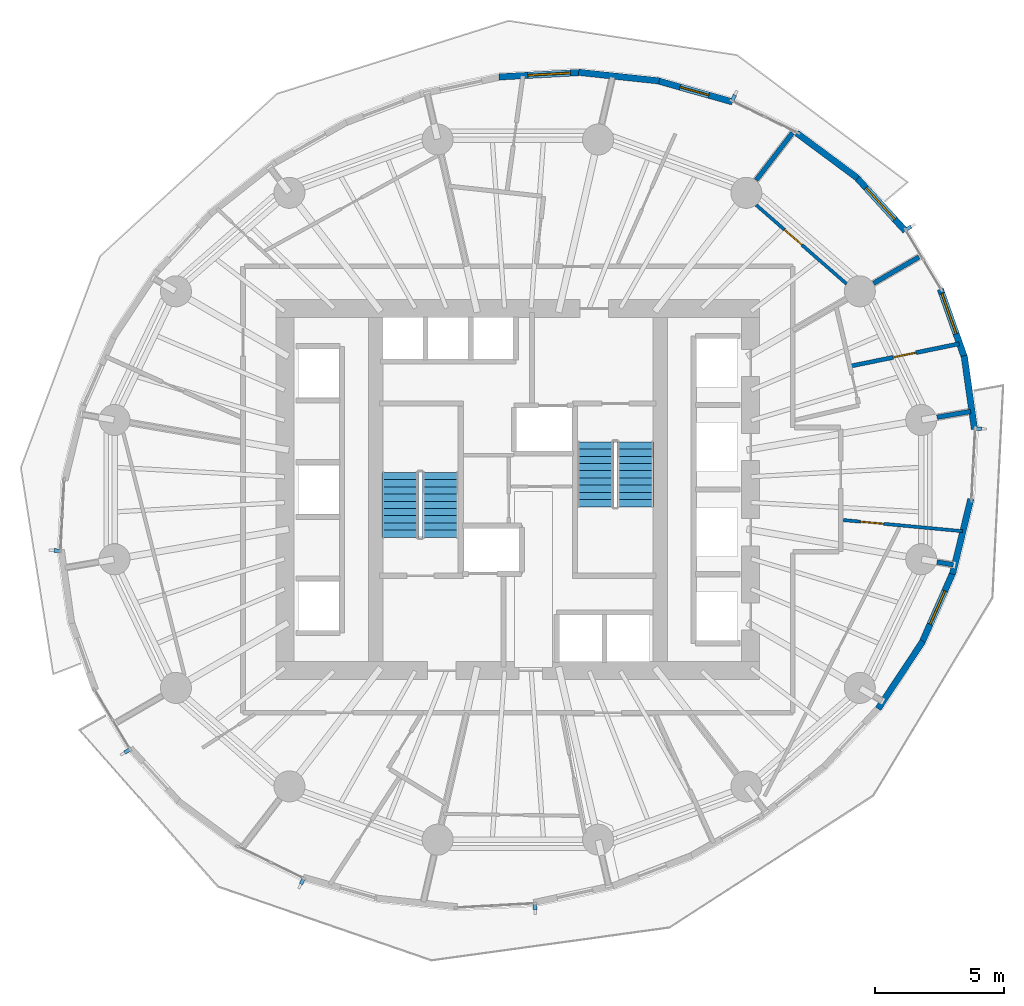
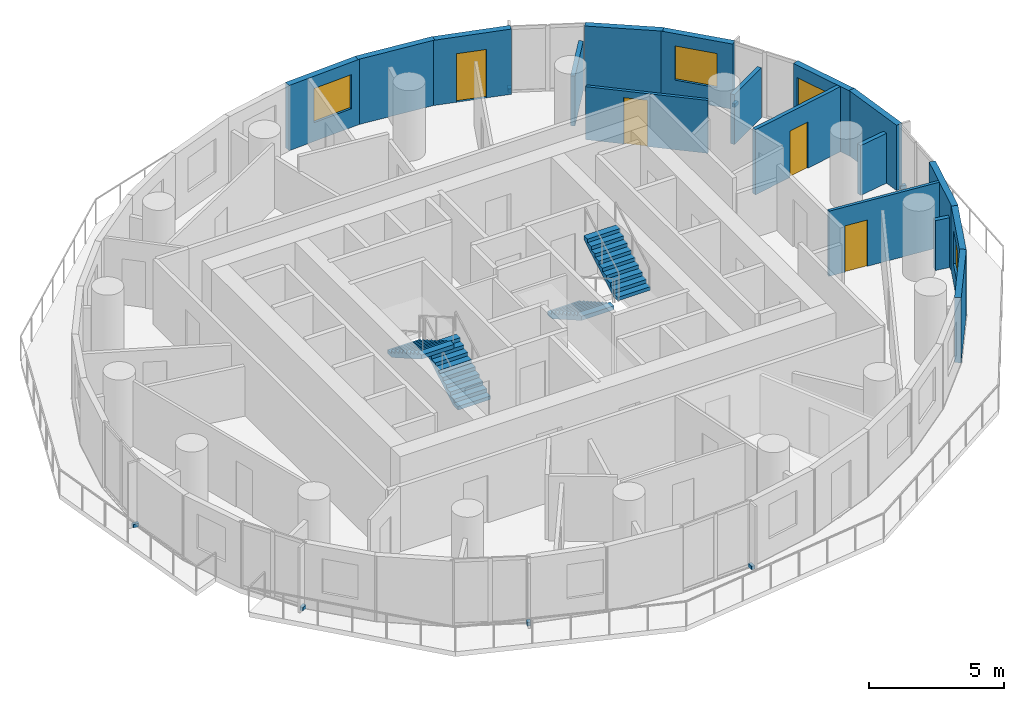
# One storey, part 10 of 15: 17 walls, 7 discrete accessories, 4 doors, 4 stair flights, 4 windows, 8 openings, 2 elements without a shape of their own.
"""IFC4 building model written with IfcOpenShell, lengths in metres."""

from ifc_helpers import new_model, si_unit, direction, frame, frame_2d, origin, origin_2d, place, context, subcontext, project, spatial, polyline, rectangle, outline, extrude, material, layer, layer_set, type_object, element, fill, aggregate, save


model = new_model("IFC4")

# Units and contexts
model_context = context("Model", 3, precision=1e-05, world=origin(), true_north=direction((0.0, 1.0)))
body_context = subcontext(model_context, "Body", "Model", "MODEL_VIEW")
ifc_project = project(units=[si_unit("LENGTHUNIT", "METRE"), si_unit("AREAUNIT", "SQUARE_METRE"), si_unit("VOLUMEUNIT", "CUBIC_METRE"), si_unit("PLANEANGLEUNIT", "RADIAN"), si_unit("MASSUNIT", "GRAM", prefix="KILO")], contexts=[model_context])

# Site, building, storey
site_placement = place(None, origin())
site = spatial("IfcSite", under=ifc_project, at=site_placement, CompositionType="ELEMENT")
building_placement = place(site_placement, origin())
building = spatial("IfcBuilding", under=site, at=building_placement, Name="Veldorim Arch Residences", CompositionType="ELEMENT")
storey_placement = place(building_placement, frame((0.0, 0.0, 106.080078125)))
storey = spatial("IfcBuildingStorey", under=building, at=storey_placement, Name="L31", CompositionType="ELEMENT", Elevation=106.080078125)

# Wall, opening, door
ifc_material_1 = material(Name="Acoustic Gypsum Board", Category="gypsum")
ifc_layer_1 = layer(ifc_material_1, 0.125, Name="Acoustic Stud Room Partition Wall 125")
ifc_layer_set_1 = layer_set([ifc_layer_1], Name="Acoustic Gypsum Board")
wall_type_1 = type_object("IfcWallType", Name="Acoustic Stud Room Partition Wall 125", PredefinedType="PARTITIONING", material=ifc_layer_set_1)
wall_1_placement = place(storey_placement, frame((49.19580078125, 22.39208984375, 0.0), z_axis=(0.0, 0.0, 1.0), x_axis=(-0.99565683003, 0.09309928472, 0.0)))
wall_1 = element("IfcWall", 1, at=wall_1_placement, inside=storey, type_object=wall_type_1, Name="L31 interior wall WL-RES-L31-017", PredefinedType="PARTITIONING", context=body_context, shape_type="SweptSolid", body=[
    extrude(rectangle(XDim=4.63623046875, YDim=0.125, at=frame_2d((2.318115234375, 0.0))), origin(), (0.0, 0.0, 1.0), 2.954833984375),
])
opening_1_placement = place(wall_1_placement, frame((3.066162109375, 0.0, 0.0)))
opening_1 = element("IfcOpeningElement", 2, at=opening_1_placement, cuts=wall_1, Name="Opening DR-INT", PredefinedType="OPENING", context=body_context, shape_type="SweptSolid", body=[
    extrude(rectangle(XDim=0.89990234375, YDim=2.10009765625, at=frame_2d((0.449951171875, 1.050048828125))), frame((0.0, 0.072509765625, 0.0), z_axis=(0.0, -1.0, 0.0), x_axis=(1.0, 0.0, 0.0)), (0.0, 0.0, 1.0), 0.14501953125),
])
ifc_material_2 = material(Name="Engineered Timber", Category="wood")
door_type_1 = type_object("IfcDoorType", Name="Apartment Internal Room Timber Door 900x2100", OperationType="SINGLE_SWING_LEFT", PredefinedType="DOOR", material=ifc_material_2)
door_1_placement = place(opening_1_placement, origin())
door_1 = element("IfcDoor", 3, at=door_1_placement, inside=storey, type_object=door_type_1, Name="L31 interior door DR-RES-L31-007", OperationType="SINGLE_SWING_LEFT", OverallHeight=2.10009765625, OverallWidth=0.89990234375, PredefinedType="DOOR", context=body_context, shape_type="SweptSolid", body=[
    extrude(rectangle(XDim=0.89990234375, YDim=2.10009765625, at=frame_2d((0.449951171875, 1.050048828125))), frame((0.0, 0.02490234375, 0.0), z_axis=(0.0, -1.0, 0.0), x_axis=(1.0, 0.0, 0.0)), (0.0, 0.0, 1.0), 0.050048828125),
])
fill(opening_1, door_1)

wall_2_placement = place(storey_placement, frame((41.216064453125, 35.002685546875, 0.0), z_axis=(0.0, 0.0, 1.0), x_axis=(0.753372011099, -0.657594565741, 0.0)))
wall_2 = element("IfcWall", 4, at=wall_2_placement, inside=storey, type_object=wall_type_1, Name="L31 interior wall WL-RES-L31-027", PredefinedType="PARTITIONING", context=body_context, shape_type="SweptSolid", body=[
    extrude(rectangle(XDim=4.63671875, YDim=0.125, at=frame_2d((2.318359375, 0.0))), origin(), (0.0, 0.0, 1.0), 2.4033203125),
])
opening_2_placement = place(wall_2_placement, frame((1.4482421875, 0.0, 0.0)))
opening_2 = element("IfcOpeningElement", 5, at=opening_2_placement, cuts=wall_2, Name="Opening DR-INT", PredefinedType="OPENING", context=body_context, shape_type="SweptSolid", body=[
    extrude(rectangle(XDim=0.89990234375, YDim=2.10009765625, at=frame_2d((0.449951171875, 1.050048828125))), frame((0.0, 0.072509765625, 0.0), z_axis=(0.0, -1.0, 0.0), x_axis=(1.0, 0.0, 0.0)), (0.0, 0.0, 1.0), 0.14501953125),
])
door_2_placement = place(opening_2_placement, origin())
door_2 = element("IfcDoor", 6, at=door_2_placement, inside=storey, type_object=door_type_1, Name="L31 interior door DR-RES-L31-013", OperationType="SINGLE_SWING_LEFT", OverallHeight=2.10009765625, OverallWidth=0.89990234375, PredefinedType="DOOR", context=body_context, shape_type="SweptSolid", body=[
    extrude(rectangle(XDim=0.89990234375, YDim=2.10009765625, at=frame_2d((0.449951171875, 1.050048828125))), frame((0.0, 0.02490234375, 0.0), z_axis=(0.0, -1.0, 0.0), x_axis=(1.0, 0.0, 0.0)), (0.0, 0.0, 1.0), 0.050048828125),
])
fill(opening_2, door_2)

# Walls
ifc_material_3 = material(Name="Lightweight Masonry Block & Gypsum", Category="masonry")
ifc_layer_2 = layer(ifc_material_3, 0.179931640625, Name="Compartment & Corridor Fire-Rated Party Wall 180")
ifc_layer_set_2 = layer_set([ifc_layer_2], Name="Lightweight Masonry Block & Gypsum")
wall_type_2 = type_object("IfcWallType", Name="Compartment & Corridor Fire-Rated Party Wall 180", PredefinedType="PARTITIONING", material=ifc_layer_set_2)
wall_3_placement = place(storey_placement, frame((48.20556640625, 26.797607421875, 0.0), z_axis=(0.0, 0.0, 1.0), x_axis=(0.98541625201, 0.170161130326, 0.0)))
element("IfcWall", 7, at=wall_3_placement, inside=storey, type_object=wall_type_2, Name="L31 interior wall WL-PIER-L31-01", PredefinedType="PARTITIONING", context=body_context, shape_type="SweptSolid", body=[
    extrude(rectangle(XDim=1.318603515625, YDim=0.179931640625, at=frame_2d((0.6591796875, 0.0))), origin(), (0.0, 0.0, 1.0), 2.260498046875),
])
wall_4_placement = place(storey_placement, frame((45.756591796875, 31.977783203125, 0.0), z_axis=(0.0, 0.0, 1.0), x_axis=(0.865046864493, 0.501691062539, 0.0)))
element("IfcWall", 8, at=wall_4_placement, inside=storey, type_object=wall_type_2, Name="L31 interior wall WL-PIER-L31-02", PredefinedType="PARTITIONING", context=body_context, shape_type="SweptSolid", body=[
    extrude(rectangle(XDim=2.02783203125, YDim=0.179931640625, at=frame_2d((1.013916015625, 0.0))), origin(), (0.0, 0.0, 1.0), 2.260498046875),
])
wall_5_placement = place(storey_placement, frame((41.2119140625, 35.965576171875, 0.0), z_axis=(0.0, 0.0, 1.0), x_axis=(0.610007255548, 0.792395827967, 0.0)))
element("IfcWall", 9, at=wall_5_placement, inside=storey, type_object=wall_type_2, Name="L31 interior wall WL-PIER-L31-03", PredefinedType="PARTITIONING", context=body_context, shape_type="SweptSolid", body=[
    extrude(rectangle(XDim=2.3076171875, YDim=0.179931640625, at=frame_2d((1.15380859375, 0.0))), origin(), (0.0, 0.0, 1.0), 2.260498046875),
])
wall_6_placement = place(storey_placement, frame((48.20556640625, 21.202392578125, 0.0), z_axis=(0.0, 0.0, 1.0), x_axis=(0.985389793052, -0.170314285219, 0.0)))
element("IfcWall", 10, at=wall_6_placement, inside=storey, type_object=wall_type_2, Name="L31 interior wall WL-PIER-L31-16", PredefinedType="PARTITIONING", context=body_context, shape_type="SweptSolid", body=[
    extrude(rectangle(XDim=0.64208984375, YDim=0.179931640625, at=frame_2d((0.321044921875, 0.0))), origin(), (0.0, 0.0, 1.0), 2.260498046875),
])

# Wall, opening, window
ifc_material_4 = material(Name="Precast concrete C40/50", Category="concrete")
ifc_layer_3 = layer(ifc_material_4, 0.25, Name="Tower Terracotta Spandrel & Pier Wall 250")
ifc_layer_set_3 = layer_set([ifc_layer_3], Name="Precast concrete C40/50")
wall_type_3 = type_object("IfcWallType", Name="Tower Terracotta Spandrel & Pier Wall 250", PredefinedType="SOLIDWALL", material=ifc_layer_set_3)
wall_7_placement = place(storey_placement, frame((45.051025390625, 36.12060546875, 0.0), z_axis=(0.0, 0.0, 1.0), x_axis=(0.673691100196, -0.739013059098, 0.0)))
wall_7 = element("IfcWall", 11, at=wall_7_placement, inside=storey, type_object=wall_type_3, Name="L31 terracotta facade wall 02", PredefinedType="SOLIDWALL", context=body_context, shape_type="SweptSolid", body=[
    extrude(rectangle(XDim=2.8740234375, YDim=0.25, at=frame_2d((1.43701171875, 0.0))), origin(), (0.0, 0.0, 1.0), 2.9599609375),
])
opening_3_placement = place(wall_7_placement, frame((0.612060546875, 0.0, 0.85009765625)))
opening_3 = element("IfcOpeningElement", 12, at=opening_3_placement, cuts=wall_7, Name="Opening WN-03", PredefinedType="OPENING", context=body_context, shape_type="SweptSolid", body=[
    extrude(rectangle(XDim=1.64990234375, YDim=1.550048828125, at=frame_2d((0.824951171875, 0.77490234375))), frame((0.0, 0.135009765625, 0.0), z_axis=(0.0, -1.0, 0.0), x_axis=(1.0, 0.0, 0.0)), (0.0, 0.0, 1.0), 0.27001953125),
])
ifc_material_5 = material(Name="Laminated Low-E Glass", Category="glass")
window_type_1 = type_object("IfcWindowType", Name="Residential Wide Window 1650x1550", PartitioningType="SINGLE_PANEL", PredefinedType="WINDOW", material=ifc_material_5)
window_1_placement = place(opening_3_placement, origin())
window_1 = element("IfcWindow", 13, at=window_1_placement, inside=storey, type_object=window_type_1, Name="L31 solar-control facade window 02", OverallHeight=1.550048828125, OverallWidth=1.64990234375, PartitioningType="SINGLE_PANEL", PredefinedType="WINDOW", context=body_context, shape_type="SweptSolid", body=[
    extrude(rectangle(XDim=1.64990234375, YDim=1.550048828125, at=frame_2d((0.824951171875, 0.77490234375))), frame((0.0, 0.030029296875, 0.0), z_axis=(0.0, -1.0, 0.0), x_axis=(1.0, 0.0, 0.0)), (0.0, 0.0, 1.0), 0.06005859375),
])
fill(opening_3, window_1)

# Wall
wall_8_placement = place(storey_placement, frame((42.787353515625, 37.785400390625, 0.0), z_axis=(0.0, 0.0, 1.0), x_axis=(0.803255279066, -0.595634918933, 0.0)))
element("IfcWall", 14, at=wall_8_placement, inside=storey, type_object=wall_type_3, Name="L31 terracotta facade wall 03", PredefinedType="SOLIDWALL", context=body_context, shape_type="SweptSolid", body=[
    extrude(rectangle(XDim=2.92333984375, YDim=0.25, at=frame_2d((1.461669921875, 0.0))), origin(), (0.0, 0.0, 1.0), 2.9599609375),
])

# Wall, opening, door
wall_9_placement = place(storey_placement, frame((37.3544921875, 39.82470703125, 0.0), z_axis=(0.0, 0.0, 1.0), x_axis=(0.962391946781, -0.271664758059, 0.0)))
wall_9 = element("IfcWall", 15, at=wall_9_placement, inside=storey, type_object=wall_type_3, Name="L31 terracotta facade wall 05", PredefinedType="SOLIDWALL", context=body_context, shape_type="SweptSolid", body=[
    extrude(rectangle(XDim=3.06103515625, YDim=0.25, at=frame_2d((1.530517578125, 0.0))), origin(), (0.0, 0.0, 1.0), 2.9599609375),
])
opening_4_placement = place(wall_9_placement, frame((0.955078125, 0.0, 0.0)))
opening_4 = element("IfcOpeningElement", 16, at=opening_4_placement, cuts=wall_9, Name="Opening BL-DR", PredefinedType="OPENING", context=body_context, shape_type="SweptSolid", body=[
    extrude(rectangle(XDim=1.14990234375, YDim=2.199951171875, at=frame_2d((0.574951171875, 1.10009765625))), frame((0.0, 0.135009765625, 0.0), z_axis=(0.0, -1.0, 0.0), x_axis=(1.0, 0.0, 0.0)), (0.0, 0.0, 1.0), 0.27001953125),
])
ifc_material_6 = material(Name="Aluminium & Low-E Glass", Category="aluminium")
door_type_2 = type_object("IfcDoorType", Name="Glazed Planted Balcony Door 1150x2200", OperationType="SINGLE_SWING_LEFT", PredefinedType="DOOR", material=ifc_material_6)
door_3_placement = place(opening_4_placement, origin())
door_3 = element("IfcDoor", 17, at=door_3_placement, inside=storey, type_object=door_type_2, Name="L31 glazed outdoor terrace door BALC-1", OperationType="SINGLE_SWING_LEFT", OverallHeight=2.199951171875, OverallWidth=1.14990234375, PredefinedType="DOOR", context=body_context, shape_type="SweptSolid", body=[
    extrude(rectangle(XDim=1.14990234375, YDim=2.199951171875, at=frame_2d((0.574951171875, 1.10009765625))), frame((0.0, 0.02490234375, 0.0), z_axis=(0.0, -1.0, 0.0), x_axis=(1.0, 0.0, 0.0)), (0.0, 0.0, 1.0), 0.050048828125),
])
fill(opening_4, door_3)

# Wall
wall_10_placement = place(storey_placement, frame((34.349853515625, 40.135986328125, 0.0), z_axis=(0.0, 0.0, 1.0), x_axis=(0.994353607356, -0.106117404502, 0.0)))
element("IfcWall", 18, at=wall_10_placement, inside=storey, type_object=wall_type_3, Name="L31 terracotta facade wall 06", PredefinedType="SOLIDWALL", context=body_context, shape_type="SweptSolid", body=[
    extrude(rectangle(XDim=3.131103515625, YDim=0.25, at=frame_2d((1.5654296875, 0.0))), origin(), (0.0, 0.0, 1.0), 2.9599609375),
])

# Wall, opening, window
wall_11_placement = place(storey_placement, frame((31.272705078125, 39.957275390625, 0.0), z_axis=(0.0, 0.0, 1.0), x_axis=(0.998478187791, 0.055148059859, 0.0)))
wall_11 = element("IfcWall", 19, at=wall_11_placement, inside=storey, type_object=wall_type_3, Name="L31 terracotta facade wall 07", PredefinedType="SOLIDWALL", context=body_context, shape_type="SweptSolid", body=[
    extrude(rectangle(XDim=3.19189453125, YDim=0.25, at=frame_2d((1.595947265625, 0.0))), origin(), (0.0, 0.0, 1.0), 2.9599609375),
])
opening_5_placement = place(wall_11_placement, frame((1.112060546875, 0.0, 0.85009765625)))
opening_5 = element("IfcOpeningElement", 20, at=opening_5_placement, cuts=wall_11, Name="Opening WN-03", PredefinedType="OPENING", context=body_context, shape_type="SweptSolid", body=[
    extrude(rectangle(XDim=1.64990234375, YDim=1.550048828125, at=frame_2d((0.824951171875, 0.77490234375))), frame((0.0, 0.135009765625, 0.0), z_axis=(0.0, -1.0, 0.0), x_axis=(1.0, 0.0, 0.0)), (0.0, 0.0, 1.0), 0.27001953125),
])
window_2_placement = place(opening_5_placement, origin())
window_2 = element("IfcWindow", 21, at=window_2_placement, inside=storey, type_object=window_type_1, Name="L31 solar-control facade window 07", OverallHeight=1.550048828125, OverallWidth=1.64990234375, PartitioningType="SINGLE_PANEL", PredefinedType="WINDOW", context=body_context, shape_type="SweptSolid", body=[
    extrude(rectangle(XDim=1.64990234375, YDim=1.550048828125, at=frame_2d((0.824951171875, 0.77490234375))), frame((0.0, 0.030029296875, 0.0), z_axis=(0.0, -1.0, 0.0), x_axis=(1.0, 0.0, 0.0)), (0.0, 0.0, 1.0), 0.06005859375),
])
fill(opening_5, window_2)

# Wall
wall_12_placement = place(storey_placement, frame((47.659423828125, 18.135986328125, 0.0), z_axis=(0.0, 0.0, 1.0), x_axis=(-0.552034347266, -0.833821371421, 0.0)))
element("IfcWall", 22, at=wall_12_placement, inside=storey, type_object=wall_type_3, Name="L31 terracotta facade wall 31", PredefinedType="SOLIDWALL", context=body_context, shape_type="SweptSolid", body=[
    extrude(rectangle(XDim=3.131103515625, YDim=0.25, at=frame_2d((1.5654296875, 0.0))), origin(), (0.0, 0.0, 1.0), 2.9599609375),
])

# Wall, opening, window
wall_13_placement = place(storey_placement, frame((48.843017578125, 20.83837890625, 0.0), z_axis=(0.0, 0.0, 1.0), x_axis=(-0.404109525311, -0.914710605357, 0.0)))
wall_13 = element("IfcWall", 23, at=wall_13_placement, inside=storey, type_object=wall_type_3, Name="L31 terracotta facade wall 32", PredefinedType="SOLIDWALL", context=body_context, shape_type="SweptSolid", body=[
    extrude(rectangle(XDim=3.060546875, YDim=0.25, at=frame_2d((1.5302734375, 0.0))), origin(), (0.0, 0.0, 1.0), 2.9599609375),
])
opening_6_placement = place(wall_13_placement, frame((0.830078125, 0.0, 0.85009765625)))
opening_6 = element("IfcOpeningElement", 24, at=opening_6_placement, cuts=wall_13, Name="Opening WN-02", PredefinedType="OPENING", context=body_context, shape_type="SweptSolid", body=[
    extrude(rectangle(XDim=1.39990234375, YDim=1.550048828125, at=frame_2d((0.699951171875, 0.77490234375))), frame((0.0, 0.135009765625, 0.0), z_axis=(0.0, -1.0, 0.0), x_axis=(1.0, 0.0, 0.0)), (0.0, 0.0, 1.0), 0.27001953125),
])
ifc_material_7 = material(Name="Laminated Low-E Glass", Category="glass")
window_type_2 = type_object("IfcWindowType", Name="Residential Casement Window 1400x1550", PartitioningType="SINGLE_PANEL", PredefinedType="WINDOW", material=ifc_material_7)
window_3_placement = place(opening_6_placement, origin())
window_3 = element("IfcWindow", 25, at=window_3_placement, inside=storey, type_object=window_type_2, Name="L31 solar-control facade window 32", OverallHeight=1.550048828125, OverallWidth=1.39990234375, PartitioningType="SINGLE_PANEL", PredefinedType="WINDOW", context=body_context, shape_type="SweptSolid", body=[
    extrude(rectangle(XDim=1.39990234375, YDim=1.550048828125, at=frame_2d((0.699951171875, 0.77490234375))), frame((0.0, 0.030029296875, 0.0), z_axis=(0.0, -1.0, 0.0), x_axis=(1.0, 0.0, 0.0)), (0.0, 0.0, 1.0), 0.06005859375),
])
fill(opening_6, window_3)

# Walls
wall_14_placement = place(storey_placement, frame((49.514404296875, 23.63623046875, 0.0), z_axis=(0.0, 0.0, 1.0), x_axis=(-0.236668427837, -0.971590477138, 0.0)))
element("IfcWall", 26, at=wall_14_placement, inside=storey, type_object=wall_type_3, Name="L31 terracotta facade wall 33", PredefinedType="SOLIDWALL", context=body_context, shape_type="SweptSolid", body=[
    extrude(rectangle(XDim=2.988525390625, YDim=0.25, at=frame_2d((1.494140625, 0.0))), origin(), (0.0, 0.0, 1.0), 2.9599609375),
])
wall_15_placement = place(storey_placement, frame((49.255859375, 29.176025390625, 0.0), z_axis=(0.0, 0.0, 1.0), x_axis=(0.139982311006, -0.990154004489, 0.0)))
element("IfcWall", 27, at=wall_15_placement, inside=storey, type_object=wall_type_3, Name="L31 terracotta facade wall 35", PredefinedType="SOLIDWALL", context=body_context, shape_type="SweptSolid", body=[
    extrude(rectangle(XDim=2.874267578125, YDim=0.25, at=frame_2d((1.43701171875, 0.0))), origin(), (0.0, 0.0, 1.0), 2.9599609375),
])

# Wall, opening, window
wall_16_placement = place(storey_placement, frame((48.3349609375, 31.75, 0.0), z_axis=(0.0, 0.0, 1.0), x_axis=(0.332923265962, -0.942953921982, 0.0)))
wall_16 = element("IfcWall", 28, at=wall_16_placement, inside=storey, type_object=wall_type_3, Name="L31 terracotta facade wall 36", PredefinedType="SOLIDWALL", context=body_context, shape_type="SweptSolid", body=[
    extrude(rectangle(XDim=2.847412109375, YDim=0.25, at=frame_2d((1.423828125, 0.0))), origin(), (0.0, 0.0, 1.0), 2.9599609375),
])
opening_7_placement = place(wall_16_placement, frame((0.175048828125, 0.0, 0.85009765625)))
opening_7 = element("IfcOpeningElement", 29, at=opening_7_placement, cuts=wall_16, Name="Opening WN-03", PredefinedType="OPENING", context=body_context, shape_type="SweptSolid", body=[
    extrude(rectangle(XDim=1.64990234375, YDim=1.550048828125, at=frame_2d((0.824951171875, 0.77490234375))), frame((0.0, 0.135009765625, 0.0), z_axis=(0.0, -1.0, 0.0), x_axis=(1.0, 0.0, 0.0)), (0.0, 0.0, 1.0), 0.27001953125),
])
window_4_placement = place(opening_7_placement, origin())
window_4 = element("IfcWindow", 30, at=window_4_placement, inside=storey, type_object=window_type_1, Name="L31 solar-control facade window 36", OverallHeight=1.550048828125, OverallWidth=1.64990234375, PartitioningType="SINGLE_PANEL", PredefinedType="WINDOW", context=body_context, shape_type="SweptSolid", body=[
    extrude(rectangle(XDim=1.64990234375, YDim=1.550048828125, at=frame_2d((0.824951171875, 0.77490234375))), frame((0.0, 0.030029296875, 0.0), z_axis=(0.0, -1.0, 0.0), x_axis=(1.0, 0.0, 0.0)), (0.0, 0.0, 1.0), 0.06005859375),
])
fill(opening_7, window_4)

# Wall, opening, door
ifc_material_8 = material(Name="Moisture-Resistant Gypsum & Stud", Category="gypsum")
ifc_layer_4 = layer(ifc_material_8, 0.159912109375, Name="Wet-Area Moisture-Resistant Plumbing Wall 160")
ifc_layer_set_4 = layer_set([ifc_layer_4], Name="Moisture-Resistant Gypsum & Stud")
wall_type_4 = type_object("IfcWallType", Name="Wet-Area Moisture-Resistant Plumbing Wall 160", PredefinedType="PLUMBINGWALL", material=ifc_layer_set_4)
wall_17_placement = place(storey_placement, frame((44.837646484375, 28.769775390625, 0.0), z_axis=(0.0, 0.0, 1.0), x_axis=(0.97949547816, 0.201466146695, 0.0)))
wall_17 = element("IfcWall", 31, at=wall_17_placement, inside=storey, type_object=wall_type_4, Name="L31 interior wall WL-RES-L31-016", PredefinedType="PLUMBINGWALL", context=body_context, shape_type="SweptSolid", body=[
    extrude(rectangle(XDim=4.315185546875, YDim=0.159912109375, at=frame_2d((2.15771484375, 0.0))), origin(), (0.0, 0.0, 1.0), 2.954833984375),
])
opening_8_placement = place(wall_17_placement, frame((1.70751953125, 0.0, 0.0)))
opening_8 = element("IfcOpeningElement", 32, at=opening_8_placement, cuts=wall_17, Name="Opening DR-WC", PredefinedType="OPENING", context=body_context, shape_type="SweptSolid", body=[
    extrude(rectangle(XDim=0.89990234375, YDim=2.10009765625, at=frame_2d((0.449951171875, 1.050048828125))), frame((0.0, 0.08984375, 0.0), z_axis=(0.0, -1.0, 0.0), x_axis=(1.0, 0.0, 0.0)), (0.0, 0.0, 1.0), 0.179931640625),
])
ifc_material_9 = material(Name="Laminate Timber", Category="wood")
door_type_3 = type_object("IfcDoorType", Name="Bathroom & Accessible WC Moisture-Sealed Door 900x2100", OperationType="SINGLE_SWING_LEFT", PredefinedType="DOOR", material=ifc_material_9)
door_4_placement = place(opening_8_placement, origin())
door_4 = element("IfcDoor", 33, at=door_4_placement, inside=storey, type_object=door_type_3, Name="L31 interior door DR-RES-L31-006", OperationType="SINGLE_SWING_RIGHT", OverallHeight=2.10009765625, OverallWidth=0.89990234375, PredefinedType="DOOR", context=body_context, shape_type="SweptSolid", body=[
    extrude(rectangle(XDim=0.89990234375, YDim=2.10009765625, at=frame_2d((0.449951171875, 1.050048828125))), frame((0.0, 0.02490234375, 0.0), z_axis=(0.0, -1.0, 0.0), x_axis=(1.0, 0.0, 0.0)), (0.0, 0.0, 1.0), 0.050048828125),
])
fill(opening_8, door_4)

# Stair, stair flights
ifc_material_10 = material(Name="Concrete C40/50", Category="concrete")
stair_type = type_object("IfcStairType", Name="Reinforced Concrete Dogleg Exit Staircase", PredefinedType="HALF_TURN_STAIR", material=ifc_material_10)
stair_1_placement = place(storey_placement, origin())
stair_1 = element("IfcStair", 34, at=stair_1_placement, inside=storey, type_object=stair_type, Name="L31 Exit Staircase ST-1", PredefinedType="HALF_TURN_STAIR")
ifc_material_11 = material(Name="Concrete C40/50", Category="concrete")
stair_flight_type = type_object("IfcStairFlightType", Name="Reinforced Concrete Stair Flight 1400", PredefinedType="STRAIGHT", material=ifc_material_11)
stair_flight_1_placement = place(storey_placement, frame((29.010009765625, 22.14990234375, 0.0), z_axis=(0.0, 0.0, 1.0), x_axis=(0.0, 1.0, 0.0)))
stair_flight_1 = element("IfcStairFlight", 35, at=stair_flight_1_placement, type_object=stair_flight_type, Name="ST-1 flight 1", NumberOfRisers=10, NumberOfTreads=9, PredefinedType="STRAIGHT", RiserHeight=0.16, TreadLength=0.28, context=body_context, shape_type="SweptSolid", body=[
    extrude(outline(polyline([(0.0, 0.0), (0.0, 0.159912109375), (0.280029296875, 0.159912109375), (0.280029296875, 0.320068359375), (0.56005859375, 0.320068359375), (0.56005859375, 0.47998046875), (0.840087890625, 0.47998046875), (0.840087890625, 0.639892578125), (1.1201171875, 0.639892578125), (1.1201171875, 0.800048828125), (1.39990234375, 0.800048828125), (1.39990234375, 0.9599609375), (1.679931640625, 0.9599609375), (1.679931640625, 1.1201171875), (1.9599609375, 1.1201171875), (1.9599609375, 1.280029296875), (2.239990234375, 1.280029296875), (2.239990234375, 1.43994140625), (2.52001953125, 1.43994140625), (2.52001953125, 1.60009765625), (2.52001953125, 1.255859375), (0.322265625, 0.0), (0.0, 0.0)])), frame((0.0, 0.699951171875, 0.0), z_axis=(0.0, -1.0, 0.0), x_axis=(1.0, 0.0, 0.0)), (0.0, 0.0, 1.0), 1.39990234375),
])
stair_flight_2_placement = place(storey_placement, frame((27.449951171875, 24.669921875, 1.599853515625), z_axis=(0.0, 0.0, 1.0), x_axis=(0.0, -1.0, 0.0)))
stair_flight_2 = element("IfcStairFlight", 36, at=stair_flight_2_placement, type_object=stair_flight_type, Name="ST-1 flight 2", NumberOfRisers=10, NumberOfTreads=9, PredefinedType="STRAIGHT", RiserHeight=0.16, TreadLength=0.28, context=body_context, shape_type="SweptSolid", body=[
    extrude(outline(polyline([(0.0, 0.0), (0.0, 0.159912109375), (0.280029296875, 0.159912109375), (0.280029296875, 0.320068359375), (0.56005859375, 0.320068359375), (0.56005859375, 0.47998046875), (0.840087890625, 0.47998046875), (0.840087890625, 0.639892578125), (1.1201171875, 0.639892578125), (1.1201171875, 0.800048828125), (1.39990234375, 0.800048828125), (1.39990234375, 0.9599609375), (1.679931640625, 0.9599609375), (1.679931640625, 1.1201171875), (1.9599609375, 1.1201171875), (1.9599609375, 1.280029296875), (2.239990234375, 1.280029296875), (2.239990234375, 1.43994140625), (2.52001953125, 1.43994140625), (2.52001953125, 1.60009765625), (2.52001953125, 1.255859375), (0.322265625, 0.0), (0.0, 0.0)])), frame((0.0, 0.699951171875, 0.0), z_axis=(0.0, -1.0, 0.0), x_axis=(1.0, 0.0, 0.0)), (0.0, 0.0, 1.0), 1.39990234375),
])
aggregate(stair_1, [stair_flight_1, stair_flight_2])

stair_2_placement = place(storey_placement, origin())
stair_2 = element("IfcStair", 37, at=stair_2_placement, inside=storey, type_object=stair_type, Name="L31 Exit Staircase ST-2", PredefinedType="HALF_TURN_STAIR")
stair_flight_3_placement = place(storey_placement, frame((34.989990234375, 25.85009765625, 0.0), z_axis=(0.0, 0.0, 1.0), x_axis=(0.0, -1.0, 0.0)))
stair_flight_3 = element("IfcStairFlight", 38, at=stair_flight_3_placement, type_object=stair_flight_type, Name="ST-2 flight 1", NumberOfRisers=10, NumberOfTreads=9, PredefinedType="STRAIGHT", RiserHeight=0.16, TreadLength=0.28, context=body_context, shape_type="SweptSolid", body=[
    extrude(outline(polyline([(0.0, 0.0), (0.0, 0.159912109375), (0.280029296875, 0.159912109375), (0.280029296875, 0.320068359375), (0.56005859375, 0.320068359375), (0.56005859375, 0.47998046875), (0.840087890625, 0.47998046875), (0.840087890625, 0.639892578125), (1.1201171875, 0.639892578125), (1.1201171875, 0.800048828125), (1.39990234375, 0.800048828125), (1.39990234375, 0.9599609375), (1.679931640625, 0.9599609375), (1.679931640625, 1.1201171875), (1.9599609375, 1.1201171875), (1.9599609375, 1.280029296875), (2.239990234375, 1.280029296875), (2.239990234375, 1.43994140625), (2.52001953125, 1.43994140625), (2.52001953125, 1.60009765625), (2.52001953125, 1.255859375), (0.322265625, 0.0), (0.0, 0.0)])), frame((0.0, 0.699951171875, 0.0), z_axis=(0.0, -1.0, 0.0), x_axis=(1.0, 0.0, 0.0)), (0.0, 0.0, 1.0), 1.39990234375),
])
stair_flight_4_placement = place(storey_placement, frame((36.550048828125, 23.330078125, 1.599853515625), z_axis=(0.0, 0.0, 1.0), x_axis=(0.0, 1.0, 0.0)))
stair_flight_4 = element("IfcStairFlight", 39, at=stair_flight_4_placement, type_object=stair_flight_type, Name="ST-2 flight 2", NumberOfRisers=10, NumberOfTreads=9, PredefinedType="STRAIGHT", RiserHeight=0.16, TreadLength=0.28, context=body_context, shape_type="SweptSolid", body=[
    extrude(outline(polyline([(0.0, 0.0), (0.0, 0.159912109375), (0.280029296875, 0.159912109375), (0.280029296875, 0.320068359375), (0.56005859375, 0.320068359375), (0.56005859375, 0.47998046875), (0.840087890625, 0.47998046875), (0.840087890625, 0.639892578125), (1.1201171875, 0.639892578125), (1.1201171875, 0.800048828125), (1.39990234375, 0.800048828125), (1.39990234375, 0.9599609375), (1.679931640625, 0.9599609375), (1.679931640625, 1.1201171875), (1.9599609375, 1.1201171875), (1.9599609375, 1.280029296875), (2.239990234375, 1.280029296875), (2.239990234375, 1.43994140625), (2.52001953125, 1.43994140625), (2.52001953125, 1.60009765625), (2.52001953125, 1.255859375), (0.322265625, 0.0), (0.0, 0.0)])), frame((0.0, 0.699951171875, 0.0), z_axis=(0.0, -1.0, 0.0), x_axis=(1.0, 0.0, 0.0)), (0.0, 0.0, 1.0), 1.39990234375),
])
aggregate(stair_2, [stair_flight_3, stair_flight_4])

# Discrete accessories
ifc_material_12 = material(Name="Stainless Steel", Category="steel")
discrete_accessory_type = type_object("IfcDiscreteAccessoryType", Name="Stainless Steel Facade Fin Anchor Bracket", PredefinedType="BRACKET", material=ifc_material_12)
for number, where, z_axis, x_axis, name in (
    (40, (47.1025390625, 34.10791015625, -0.02001953125), (0.0, 0.0, 1.0), (0.514439533782, -0.857526656194, 0.0), "L31 stainless fin anchor bracket 01"),
    (41, (40.338623046875, 39.149658203125, -0.02001953125), (0.0, 0.0, 1.0), (0.899481528961, -0.436958784165, 0.0), "L31 stainless fin anchor bracket 04"),
    (42, (14.18359375, 21.642578125, -0.02001953125), (0.0, 0.0, 1.0), (0.053033118368, 0.998592754007, 0.0), "L31 stainless fin anchor bracket 16"),
    (43, (16.8974609375, 13.89208984375, -0.02001953125), (0.0, 0.0, 1.0), (-0.514439533782, 0.857526656194, 0.0), "L31 stainless fin anchor bracket 19"),
    (44, (23.661376953125, 8.850341796875, -0.02001953125), (0.0, 0.0, 1.0), (-0.899481528961, 0.436958784165, 0.0), "L31 stainless fin anchor bracket 22"),
    (45, (32.6591796875, 7.871337890625, -0.02001953125), (0.0, 0.0, 1.0), (-0.998479491627, -0.055124448298, 0.0), "L31 stainless fin anchor bracket 25"),
    (46, (49.81640625, 26.357421875, -0.02001953125), (0.0, 0.0, 1.0), (-0.053033118368, -0.998592754007, 0.0), "L31 stainless fin anchor bracket 34"),
):
    element("IfcDiscreteAccessory", number, at=place(storey_placement, frame(where, z_axis=z_axis, x_axis=x_axis)), inside=storey, type_object=discrete_accessory_type, Name=name, PredefinedType="BRACKET", context=body_context, shape_type="SweptSolid", body=[
        extrude(rectangle(XDim=0.139892578125, YDim=0.239990234375, at=origin_2d()), origin(), (0.0, 0.0, 1.0), 0.159912109375),
    ])

save(model, "model.ifc")
